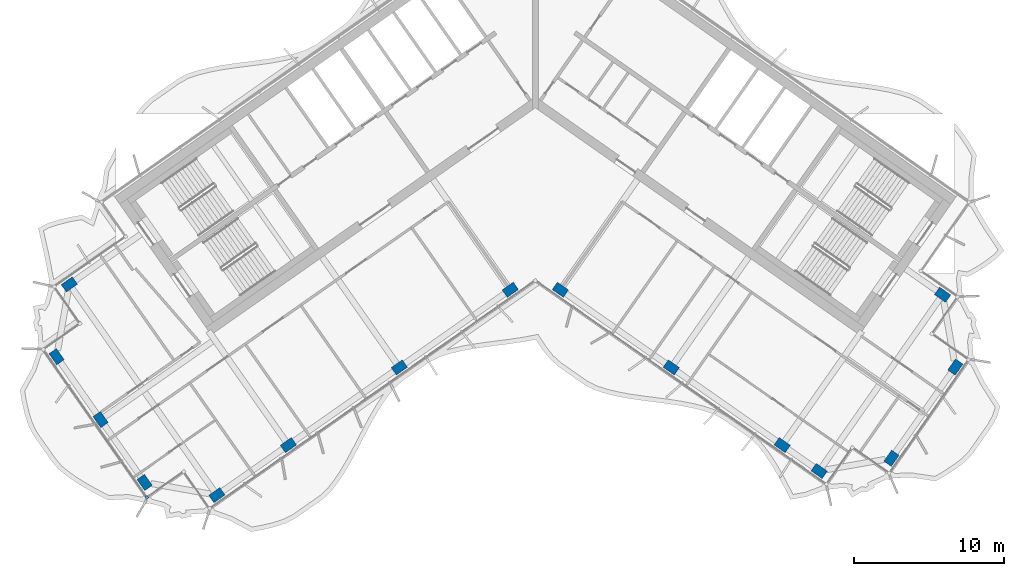
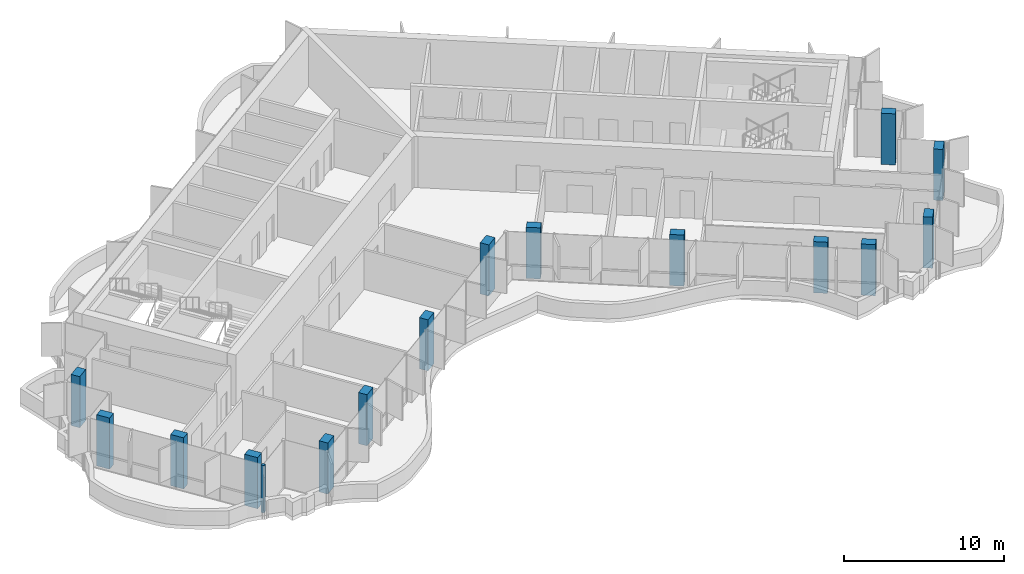
# One storey, part 1 of 17: 15 columns, 1 member, 1 element without a shape of its own.
"""IFC4 building model written with IfcOpenShell, lengths in metres."""

from ifc_helpers import new_model, si_unit, direction, frame, origin, origin_2d, place, context, subcontext, project, spatial, rectangle, extrude, material, material_profile, profile_set, type_object, element, aggregate, save


model = new_model("IFC4")

# Units and contexts
model_context = context("Model", 3, precision=1e-05, world=origin(), true_north=direction((0.0, 1.0)))
body_context = subcontext(model_context, "Body", "Model", "MODEL_VIEW")
ifc_project = project(units=[si_unit("LENGTHUNIT", "METRE"), si_unit("AREAUNIT", "SQUARE_METRE"), si_unit("VOLUMEUNIT", "CUBIC_METRE"), si_unit("PLANEANGLEUNIT", "RADIAN"), si_unit("MASSUNIT", "GRAM", prefix="KILO")], contexts=[model_context])

# Site, building, storey
site_placement = place(None, origin())
site = spatial("IfcSite", under=ifc_project, at=site_placement, CompositionType="ELEMENT")
building_placement = place(site_placement, origin())
building = spatial("IfcBuilding", under=site, at=building_placement, Name="Tel Ilan Convention Tower", CompositionType="ELEMENT")
storey_placement = place(building_placement, frame((0.0, 0.0, 283.89990234375)))
storey = spatial("IfcBuildingStorey", under=building, at=storey_placement, Name="L67", CompositionType="ELEMENT", Elevation=283.89990234375)

# Columns
ifc_material_1 = material(Name="Concrete C40/50", Category="concrete")
ifc_material_profile_1 = material_profile(ifc_material_1, rectangle(XDim=0.89990234375, YDim=0.60009765625, at=origin_2d()), Name="RC 600x900")
ifc_profile_set_1 = profile_set([ifc_material_profile_1], Name="Concrete C40/50")
column_type = type_object("IfcColumnType", Name="Column RC 600x900 C40/50", PredefinedType="COLUMN", material=ifc_profile_set_1)
for number, where, z_axis, x_axis, name in (
    (1, (-1.665283203125, -13.312744140625, 0.0), (0.0, 0.0, 1.0), (-0.819152044289, -0.573576436351, 0.0), "L67 column W-F1"),
    (2, (-9.03759765625, -18.474853515625, 0.0), (0.0, 0.0, 1.0), (-0.819152044289, -0.573576436351, 0.0), "L67 column W-F2"),
    (3, (-16.409912109375, -23.63720703125, 0.0), (0.0, 0.0, 1.0), (-0.819152044289, -0.573576436351, 0.0), "L67 column W-F3"),
    (4, (-21.1611328125, -26.9638671875, 0.0), (0.0, 0.0, 1.0), (-0.819152044289, -0.573576436351, 0.0), "L67 column W-FC"),
    (5, (-30.96923828125, -12.956298828125, 0.0), (0.0, 0.0, 1.0), (-0.819152044289, -0.573576436351, 0.0), "L67 column W-BC"),
    (6, (-25.966064453125, -26.11669921875, 0.0), (0.0, 0.0, 1.0), (-0.573576436351, 0.819152044289, 0.0), "L67 column W-E1"),
    (7, (-28.891357421875, -21.93896484375, 0.0), (0.0, 0.0, 1.0), (-0.573576436351, 0.819152044289, 0.0), "L67 column W-E2"),
    (8, (-31.81640625, -17.76123046875, 0.0), (0.0, 0.0, 1.0), (-0.573576436351, 0.819152044289, 0.0), "L67 column W-E3"),
    (9, (1.665283203125, -13.312744140625, 0.0), (0.0, 0.0, 1.0), (0.819152044289, -0.573576436351, 0.0), "L67 column E-F1"),
    (10, (9.03759765625, -18.474853515625, 0.0), (0.0, 0.0, 1.0), (0.819152044289, -0.573576436351, 0.0), "L67 column E-F2"),
    (11, (16.409912109375, -23.63720703125, 0.0), (0.0, 0.0, 1.0), (0.819152044289, -0.573576436351, 0.0), "L67 column E-F3"),
    (12, (18.867431640625, -25.35791015625, 0.0), (0.0, 0.0, 1.0), (0.819152044289, -0.573576436351, 0.0), "L67 column E-FC"),
    (13, (27.069580078125, -13.64404296875, 0.0), (0.0, 0.0, 1.0), (0.819152044289, -0.573576436351, 0.0), "L67 column E-BC"),
    (14, (23.67236328125, -24.510498046875, 0.0), (0.0, 0.0, 1.0), (0.573576436351, 0.819152044289, 0.0), "L67 column E-E1"),
    (15, (27.9169921875, -18.448974609375, 0.0), (0.0, 0.0, 1.0), (0.573576436351, 0.819152044289, 0.0), "L67 column E-E2"),
):
    element("IfcColumn", number, at=place(storey_placement, frame(where, z_axis=z_axis, x_axis=x_axis)), inside=storey, type_object=column_type, Name=name, PredefinedType="COLUMN", context=body_context, shape_type="SweptSolid", body=[
        extrude(rectangle(XDim=0.89990234375, YDim=0.60009765625, at=origin_2d()), origin(), (0.0, 0.0, 1.0), 3.900146484375),
    ])

# Curtain wall, member
ifc_material_2 = material(Name="Aluminium, bronze anodised", Category="aluminium")
curtain_wall_type = type_object("IfcCurtainWallType", Name="CW5 STICK CURTAIN WALL, UPPER OFFICE LOW-IRON TINTED GLASS", PredefinedType="NOTDEFINED", material=ifc_material_2)
curtain_wall_placement = place(storey_placement, origin())
curtain_wall = element("IfcCurtainWall", 16, at=curtain_wall_placement, inside=storey, type_object=curtain_wall_type, Name="Curtain wall CW5-50.02", PredefinedType="NOTDEFINED")
ifc_material_3 = material(Name="Aluminium, bronze anodised", Category="aluminium")
ifc_material_profile_2 = material_profile(ifc_material_3, rectangle(XDim=0.199951171875, YDim=0.199951171875, at=origin_2d()), Name="CW CORNER MULLION 200x200")
ifc_profile_set_2 = profile_set([ifc_material_profile_2], Name="Aluminium, bronze anodised")
member_type = type_object("IfcMemberType", Name="CW CORNER MULLION 200x200", PredefinedType="MULLION", material=ifc_profile_set_2)
member_placement = place(storey_placement, frame((-25.818359375, -27.112060546875, 0.0), z_axis=(0.0, 0.0, 1.0), x_axis=(0.573576436351, -0.819152044289, 0.0)))
member = element("IfcMember", 17, at=member_placement, type_object=member_type, Name="Corner mullion", PredefinedType="MULLION", context=body_context, shape_type="SweptSolid", body=[
    extrude(rectangle(XDim=0.199951171875, YDim=0.199951171875, at=origin_2d()), origin(), (0.0, 0.0, 1.0), 3.6201171875),
])
aggregate(curtain_wall, [member])

save(model, "model.ifc")
